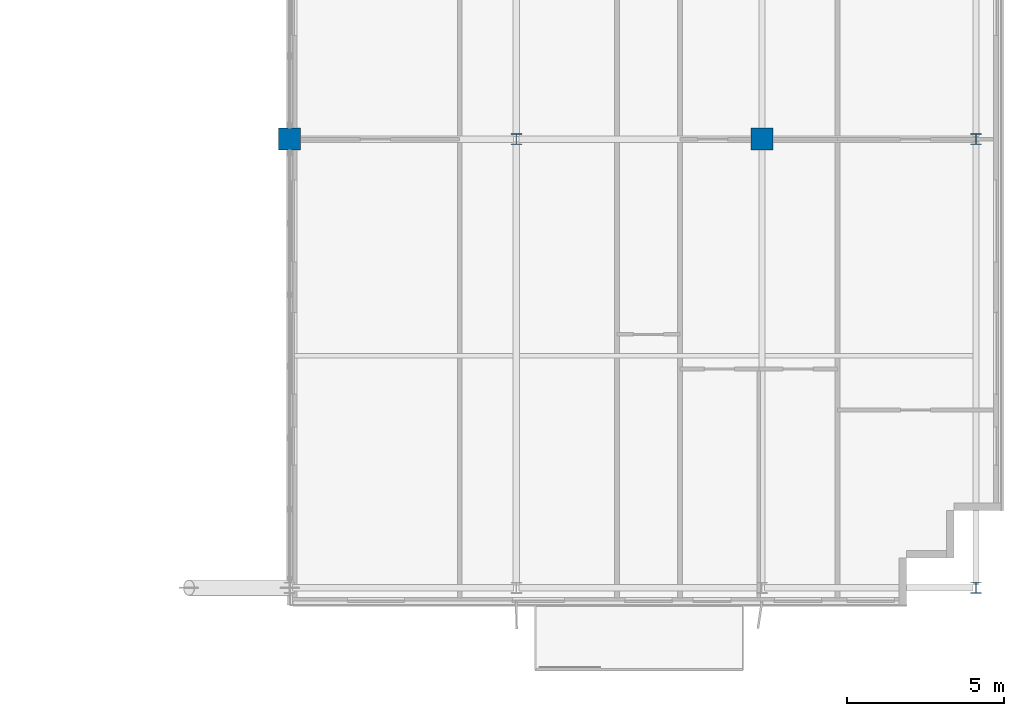
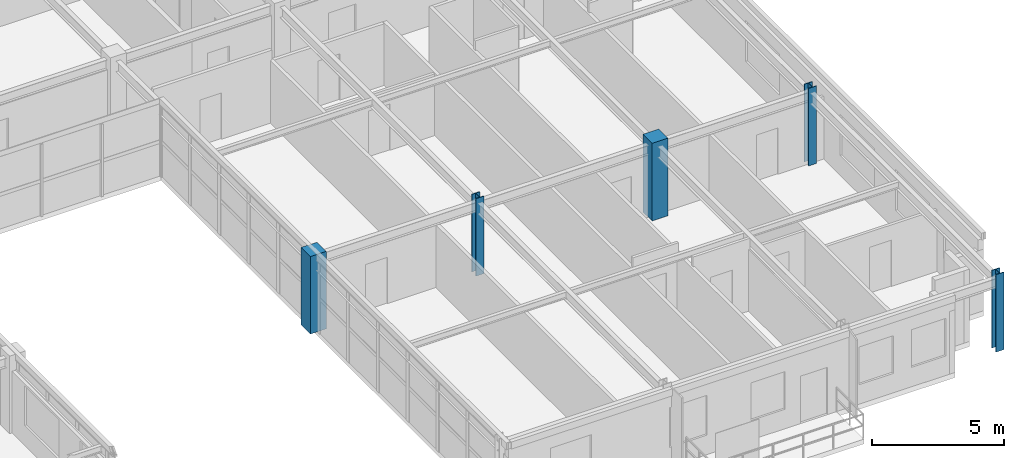
# One storey, part 2 of 35: 5 columns.
"""IFC4 building model written with IfcOpenShell, lengths in metres."""

from ifc_helpers import new_model, si_unit, direction, frame, origin, origin_2d, place, context, subcontext, project, spatial, rectangle, i_section, extrude, source, transform, mapped, material, material_profile, profile_set, type_object, element, save


model = new_model("IFC4")

# Units and contexts
model_context = context("Model", 3, precision=1e-05, world=origin(), true_north=direction((0.0, 1.0)))
body_context = subcontext(model_context, "Body", "Model", "MODEL_VIEW")
ifc_project = project(units=[si_unit("LENGTHUNIT", "METRE"), si_unit("AREAUNIT", "SQUARE_METRE"), si_unit("VOLUMEUNIT", "CUBIC_METRE"), si_unit("PLANEANGLEUNIT", "RADIAN"), si_unit("MASSUNIT", "GRAM", prefix="KILO")], contexts=[model_context])

# Site, building, storey
site_placement = place(None, origin())
site = spatial("IfcSite", under=ifc_project, at=site_placement, CompositionType="ELEMENT")
building_placement = place(site_placement, origin())
building = spatial("IfcBuilding", under=site, at=building_placement, Name="Trelvane Seafront Commons", CompositionType="ELEMENT")
storey_placement = place(building_placement, frame((0.0, 0.0, 194.10009765625)))
storey = spatial("IfcBuildingStorey", under=building, at=storey_placement, Name="L50", CompositionType="ELEMENT", Elevation=194.10009765625)

# Columns
ifc_material_1 = material(Name="Concrete C50/60", Category="concrete")
ifc_material_profile_1 = material_profile(ifc_material_1, rectangle(XDim=0.699951171875, YDim=0.699951171875, at=origin_2d()), Name="RC-700x700")
ifc_profile_set_1 = profile_set([ifc_material_profile_1], Name="Concrete C50/60")
column_type_1 = type_object("IfcColumnType", Name="STR-COL-RC700", PredefinedType="COLUMN", material=ifc_profile_set_1)
shared_shape_1 = source(origin(), body_context, "Body", "SweptSolid", [
    extrude(rectangle(XDim=0.699951171875, YDim=0.699951171875, at=origin_2d()), origin(), (0.0, 0.0, 1.0), 3.599853515625),
])
for number, where, z_axis, x_axis, name in (
    (1, (43.800048828125, 18.199951171875, 0.0), (0.0, 0.0, 1.0), (1.0, 0.0, 0.0), "L50 Column TC-M43.8"),
    (2, (58.800048828125, 18.199951171875, 0.0), (0.0, 0.0, 1.0), (1.0, 0.0, 0.0), "L50 Column TC-M58.8"),
):
    element("IfcColumn", number, at=place(storey_placement, frame(where, z_axis=z_axis, x_axis=x_axis)), inside=storey, type_object=column_type_1, Name=name, PredefinedType="COLUMN", context=body_context, shape_type="MappedRepresentation", body=[
        mapped(shared_shape_1, transform((0.0, 0.0, 0.0), x_axis=(1.0, 0.0, 0.0), y_axis=(0.0, 1.0, 0.0), z_axis=(0.0, 0.0, 1.0), scale=1.0)),
    ])
ifc_material_2 = material(Name="Steel SM355 (S355)", Category="steel")
ifc_material_profile_2 = material_profile(ifc_material_2, i_section(OverallWidth=0.35009765625, OverallDepth=0.35009765625, WebThickness=0.01806640625, FlangeThickness=0.028076171875, at=origin_2d()), Name="HD-350x350x18x28")
ifc_profile_set_2 = profile_set([ifc_material_profile_2], Name="Steel SM355 (S355)")
column_type_2 = type_object("IfcColumnType", Name="STR-COL-HD350", PredefinedType="COLUMN", material=ifc_profile_set_2)
shared_shape_2 = source(origin(), body_context, "Body", "SweptSolid", [
    extrude(i_section(OverallWidth=0.35009765625, OverallDepth=0.35009765625, WebThickness=0.01806640625, FlangeThickness=0.028076171875, at=origin_2d()), origin(), (0.0, 0.0, 1.0), 3.599853515625),
])
for number, where, z_axis, x_axis, name in (
    (3, (51.0, 18.199951171875, 0.0), (0.0, 0.0, 1.0), (1.0, 0.0, 0.0), "L50 Column TC-M51.0"),
    (4, (65.60009765625, 3.949951171875, 0.0), (0.0, 0.0, 1.0), (1.0, 0.0, 0.0), "L50 Column TC-S65.6"),
    (5, (65.60009765625, 18.199951171875, 0.0), (0.0, 0.0, 1.0), (1.0, 0.0, 0.0), "L50 Column TC-M65.6"),
):
    element("IfcColumn", number, at=place(storey_placement, frame(where, z_axis=z_axis, x_axis=x_axis)), inside=storey, type_object=column_type_2, Name=name, PredefinedType="COLUMN", context=body_context, shape_type="MappedRepresentation", body=[
        mapped(shared_shape_2, transform((0.0, 0.0, 0.0), x_axis=(1.0, 0.0, 0.0), y_axis=(0.0, 1.0, 0.0), z_axis=(0.0, 0.0, 1.0), scale=1.0)),
    ])

save(model, "model.ifc")
